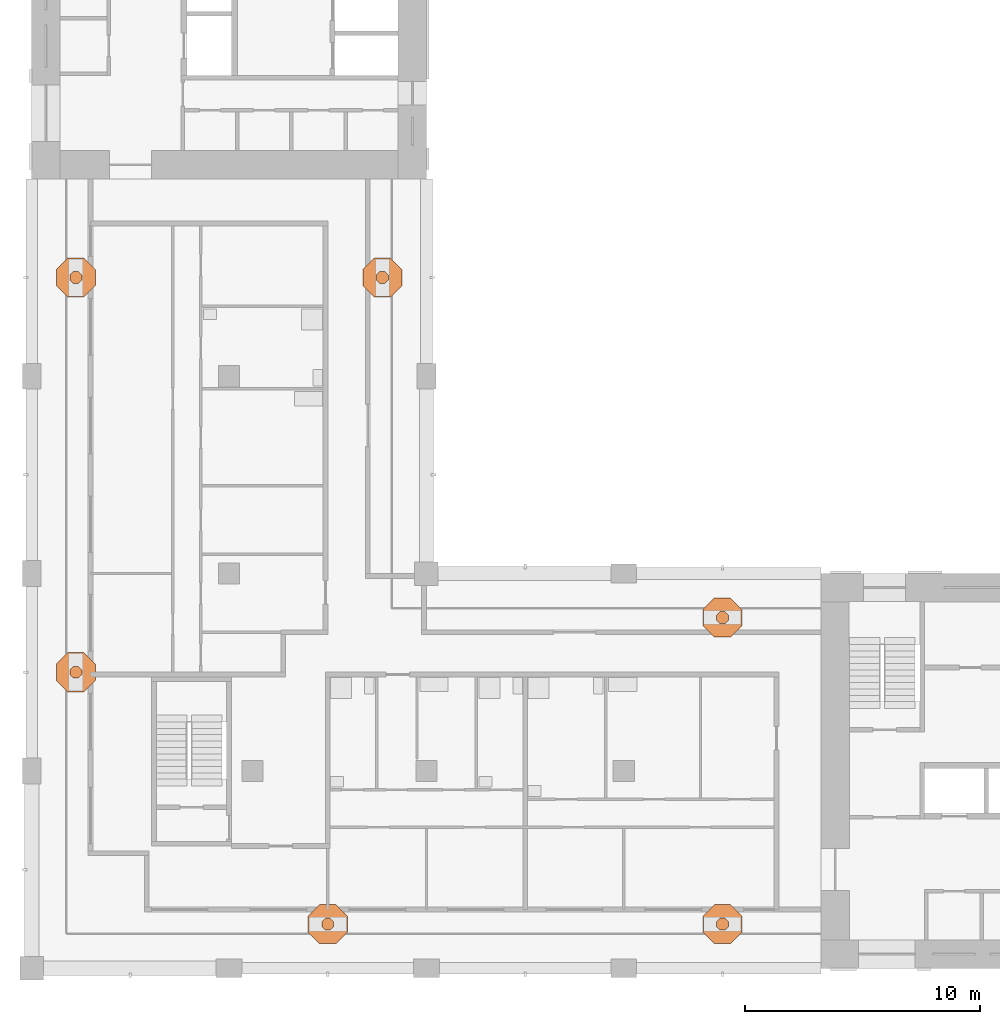
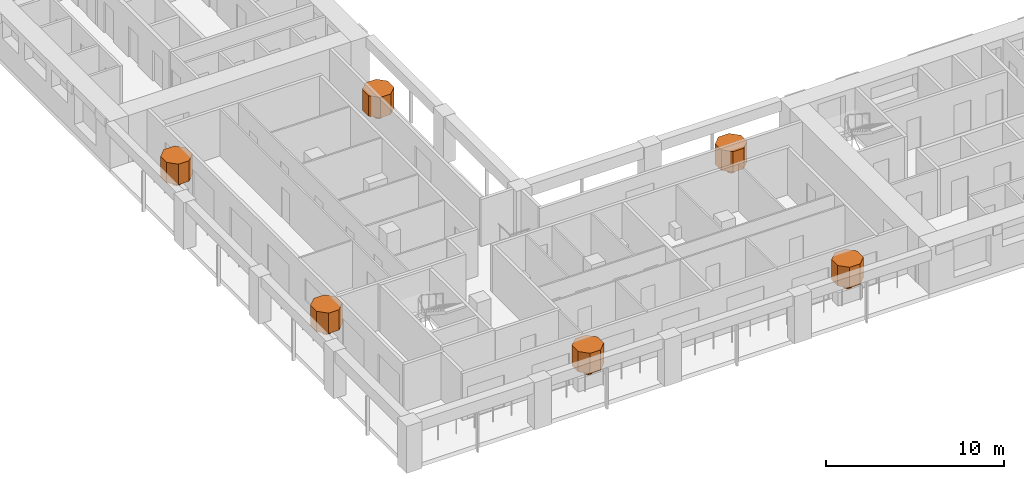
# One storey, part 12 of 12: 12 geographic elements.
"""IFC4 building model written with IfcOpenShell, lengths in metres."""

from ifc_helpers import new_model, si_unit, direction, frame, origin, place, context, subcontext, project, spatial, polyline, outline, extrude, material, element, save


model = new_model("IFC4")

# Units and contexts
model_context = context("Model", 3, precision=1e-05, world=origin(), true_north=direction((0.0, 1.0)))
body_context = subcontext(model_context, "Body", "Model", "MODEL_VIEW")
ifc_project = project(units=[si_unit("LENGTHUNIT", "METRE"), si_unit("AREAUNIT", "SQUARE_METRE"), si_unit("VOLUMEUNIT", "CUBIC_METRE"), si_unit("PLANEANGLEUNIT", "RADIAN"), si_unit("MASSUNIT", "GRAM", prefix="KILO")], contexts=[model_context])

# Site, building, storey
site_placement = place(None, origin())
site = spatial("IfcSite", under=ifc_project, at=site_placement, CompositionType="ELEMENT")
building_placement = place(site_placement, origin())
building = spatial("IfcBuilding", under=site, at=building_placement, Name="Vermilion Gate Residences", CompositionType="ELEMENT")
storey_placement = place(building_placement, frame((0.0, 0.0, 242.199951171875)))
storey = spatial("IfcBuildingStorey", under=building, at=storey_placement, Name="L63", CompositionType="ELEMENT", Elevation=242.199951171875)

# Geographic elements
ifc_material = material(Name="Foliage")
geographic_element_1_placement = place(storey_placement, frame((0.0, 0.0, 0.900146484375)))
element("IfcGeographicElement", 1, at=geographic_element_1_placement, inside=storey, material=ifc_material, Name="Tree (maple)", ObjectType="TREE", PredefinedType="USERDEFINED", context=body_context, shape_type="SweptSolid", body=[
    extrude(outline(polyline([(21.254150390625, 10.380126953125), (21.105224609375, 10.529052734375), (20.894775390625, 10.529052734375), (20.745849609375, 10.380126953125), (20.745849609375, 10.169921875), (20.894775390625, 10.02099609375), (21.105224609375, 10.02099609375), (21.254150390625, 10.169921875), (21.254150390625, 10.380126953125)])), origin(), (0.0, 0.0, 1.0), 0.52001953125),
])
geographic_element_2_placement = place(storey_placement, frame((0.0, 0.0, 1.420166015625)))
element("IfcGeographicElement", 2, at=geographic_element_2_placement, inside=storey, material=ifc_material, Name="Tree crown (maple)", ObjectType="TREE", PredefinedType="USERDEFINED", context=body_context, shape_type="SweptSolid", body=[
    extrude(outline(polyline([(21.83154296875, 10.619384765625), (21.344482421875, 11.1064453125), (20.655517578125, 11.1064453125), (20.16845703125, 10.619384765625), (20.16845703125, 9.9306640625), (20.655517578125, 9.443603515625), (21.344482421875, 9.443603515625), (21.83154296875, 9.9306640625), (21.83154296875, 10.619384765625)])), origin(), (0.0, 0.0, 1.0), 1.39990234375),
])
geographic_element_3_placement = place(storey_placement, frame((0.0, 0.0, 0.900146484375)))
element("IfcGeographicElement", 3, at=geographic_element_3_placement, inside=storey, material=ifc_material, Name="Tree (black pine)", ObjectType="TREE", PredefinedType="USERDEFINED", context=body_context, shape_type="SweptSolid", body=[
    extrude(outline(polyline([(38.05419921875, 10.380126953125), (37.9052734375, 10.529052734375), (37.69482421875, 10.529052734375), (37.5458984375, 10.380126953125), (37.5458984375, 10.169921875), (37.69482421875, 10.02099609375), (37.9052734375, 10.02099609375), (38.05419921875, 10.169921875), (38.05419921875, 10.380126953125)])), origin(), (0.0, 0.0, 1.0), 0.52001953125),
])
geographic_element_4_placement = place(storey_placement, frame((0.0, 0.0, 1.420166015625)))
element("IfcGeographicElement", 4, at=geographic_element_4_placement, inside=storey, material=ifc_material, Name="Tree crown (black pine)", ObjectType="TREE", PredefinedType="USERDEFINED", context=body_context, shape_type="SweptSolid", body=[
    extrude(outline(polyline([(38.631591796875, 10.619384765625), (38.144287109375, 11.1064453125), (37.45556640625, 11.1064453125), (36.968505859375, 10.619384765625), (36.968505859375, 9.9306640625), (37.45556640625, 9.443603515625), (38.144287109375, 9.443603515625), (38.631591796875, 9.9306640625), (38.631591796875, 10.619384765625)])), origin(), (0.0, 0.0, 1.0), 1.39990234375),
])
geographic_element_5_placement = place(storey_placement, frame((0.0, 0.0, 0.900146484375)))
element("IfcGeographicElement", 5, at=geographic_element_5_placement, inside=storey, material=ifc_material, Name="Tree (black pine)", ObjectType="TREE", PredefinedType="USERDEFINED", context=body_context, shape_type="SweptSolid", body=[
    extrude(outline(polyline([(38.05419921875, 23.43017578125), (37.9052734375, 23.5791015625), (37.69482421875, 23.5791015625), (37.5458984375, 23.43017578125), (37.5458984375, 23.2197265625), (37.69482421875, 23.07080078125), (37.9052734375, 23.07080078125), (38.05419921875, 23.2197265625), (38.05419921875, 23.43017578125)])), origin(), (0.0, 0.0, 1.0), 0.52001953125),
])
geographic_element_6_placement = place(storey_placement, frame((0.0, 0.0, 1.420166015625)))
element("IfcGeographicElement", 6, at=geographic_element_6_placement, inside=storey, material=ifc_material, Name="Tree crown (black pine)", ObjectType="TREE", PredefinedType="USERDEFINED", context=body_context, shape_type="SweptSolid", body=[
    extrude(outline(polyline([(38.631591796875, 23.66943359375), (38.144287109375, 24.156494140625), (37.45556640625, 24.156494140625), (36.968505859375, 23.66943359375), (36.968505859375, 22.980712890625), (37.45556640625, 22.493408203125), (38.144287109375, 22.493408203125), (38.631591796875, 22.980712890625), (38.631591796875, 23.66943359375)])), origin(), (0.0, 0.0, 1.0), 1.39990234375),
])
geographic_element_7_placement = place(storey_placement, frame((0.0, 0.0, 0.900146484375)))
element("IfcGeographicElement", 7, at=geographic_element_7_placement, inside=storey, material=ifc_material, Name="Tree (black pine)", ObjectType="TREE", PredefinedType="USERDEFINED", context=body_context, shape_type="SweptSolid", body=[
    extrude(outline(polyline([(23.5791015625, 37.9052734375), (23.43017578125, 38.05419921875), (23.2197265625, 38.05419921875), (23.07080078125, 37.9052734375), (23.07080078125, 37.69482421875), (23.2197265625, 37.5458984375), (23.43017578125, 37.5458984375), (23.5791015625, 37.69482421875), (23.5791015625, 37.9052734375)])), origin(), (0.0, 0.0, 1.0), 0.52001953125),
])
geographic_element_8_placement = place(storey_placement, frame((0.0, 0.0, 1.420166015625)))
element("IfcGeographicElement", 8, at=geographic_element_8_placement, inside=storey, material=ifc_material, Name="Tree crown (black pine)", ObjectType="TREE", PredefinedType="USERDEFINED", context=body_context, shape_type="SweptSolid", body=[
    extrude(outline(polyline([(24.156494140625, 38.144287109375), (23.66943359375, 38.631591796875), (22.980712890625, 38.631591796875), (22.493408203125, 38.144287109375), (22.493408203125, 37.45556640625), (22.980712890625, 36.968505859375), (23.66943359375, 36.968505859375), (24.156494140625, 37.45556640625), (24.156494140625, 38.144287109375)])), origin(), (0.0, 0.0, 1.0), 1.39990234375),
])
geographic_element_9_placement = place(storey_placement, frame((0.0, 0.0, 0.900146484375)))
element("IfcGeographicElement", 9, at=geographic_element_9_placement, inside=storey, material=ifc_material, Name="Tree (maple)", ObjectType="TREE", PredefinedType="USERDEFINED", context=body_context, shape_type="SweptSolid", body=[
    extrude(outline(polyline([(10.529052734375, 21.105224609375), (10.380126953125, 21.254150390625), (10.169921875, 21.254150390625), (10.02099609375, 21.105224609375), (10.02099609375, 20.894775390625), (10.169921875, 20.745849609375), (10.380126953125, 20.745849609375), (10.529052734375, 20.894775390625), (10.529052734375, 21.105224609375)])), origin(), (0.0, 0.0, 1.0), 0.52001953125),
])
geographic_element_10_placement = place(storey_placement, frame((0.0, 0.0, 1.420166015625)))
element("IfcGeographicElement", 10, at=geographic_element_10_placement, inside=storey, material=ifc_material, Name="Tree crown (maple)", ObjectType="TREE", PredefinedType="USERDEFINED", context=body_context, shape_type="SweptSolid", body=[
    extrude(outline(polyline([(11.1064453125, 21.344482421875), (10.619384765625, 21.83154296875), (9.9306640625, 21.83154296875), (9.443603515625, 21.344482421875), (9.443603515625, 20.655517578125), (9.9306640625, 20.16845703125), (10.619384765625, 20.16845703125), (11.1064453125, 20.655517578125), (11.1064453125, 21.344482421875)])), origin(), (0.0, 0.0, 1.0), 1.39990234375),
])
geographic_element_11_placement = place(storey_placement, frame((0.0, 0.0, 0.900146484375)))
element("IfcGeographicElement", 11, at=geographic_element_11_placement, inside=storey, material=ifc_material, Name="Tree (black pine)", ObjectType="TREE", PredefinedType="USERDEFINED", context=body_context, shape_type="SweptSolid", body=[
    extrude(outline(polyline([(10.529052734375, 37.9052734375), (10.380126953125, 38.05419921875), (10.169921875, 38.05419921875), (10.02099609375, 37.9052734375), (10.02099609375, 37.69482421875), (10.169921875, 37.5458984375), (10.380126953125, 37.5458984375), (10.529052734375, 37.69482421875), (10.529052734375, 37.9052734375)])), origin(), (0.0, 0.0, 1.0), 0.52001953125),
])
geographic_element_12_placement = place(storey_placement, frame((0.0, 0.0, 1.420166015625)))
element("IfcGeographicElement", 12, at=geographic_element_12_placement, inside=storey, material=ifc_material, Name="Tree crown (black pine)", ObjectType="TREE", PredefinedType="USERDEFINED", context=body_context, shape_type="SweptSolid", body=[
    extrude(outline(polyline([(11.1064453125, 38.144287109375), (10.619384765625, 38.631591796875), (9.9306640625, 38.631591796875), (9.443603515625, 38.144287109375), (9.443603515625, 37.45556640625), (9.9306640625, 36.968505859375), (10.619384765625, 36.968505859375), (11.1064453125, 37.45556640625), (11.1064453125, 38.144287109375)])), origin(), (0.0, 0.0, 1.0), 1.39990234375),
])

save(model, "model.ifc")
